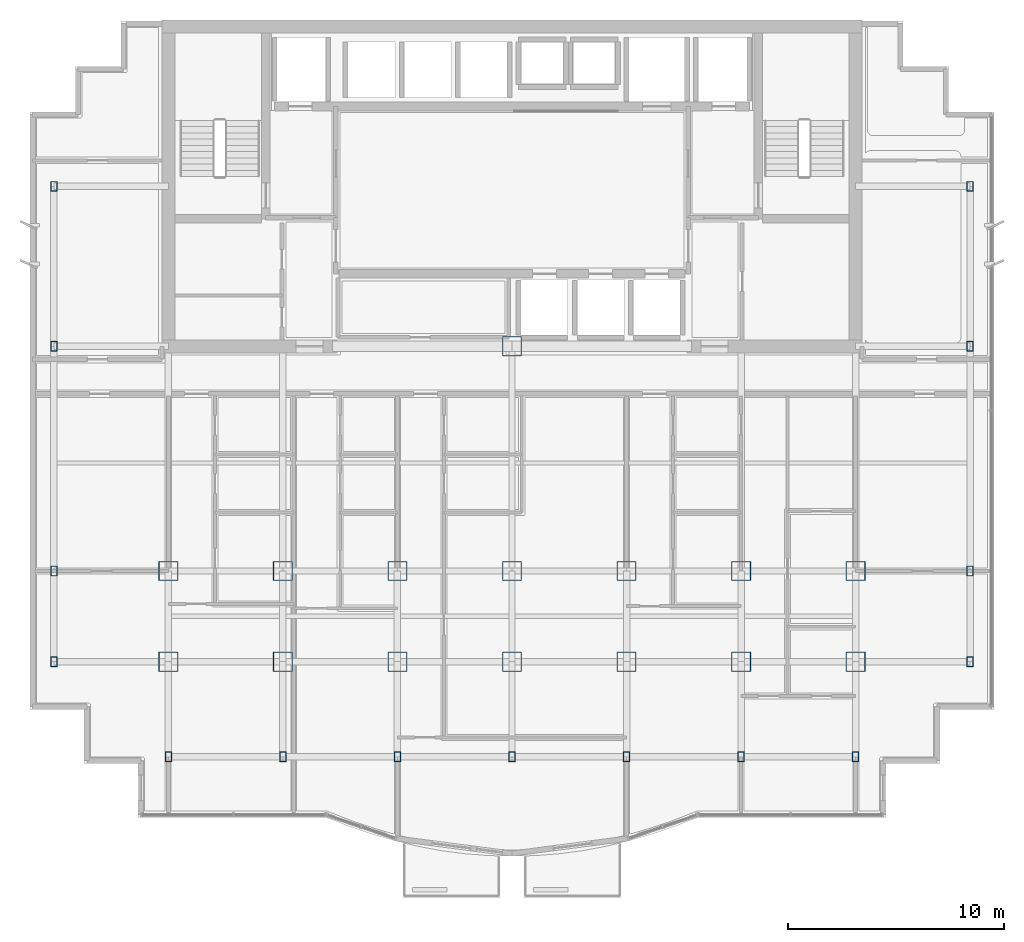
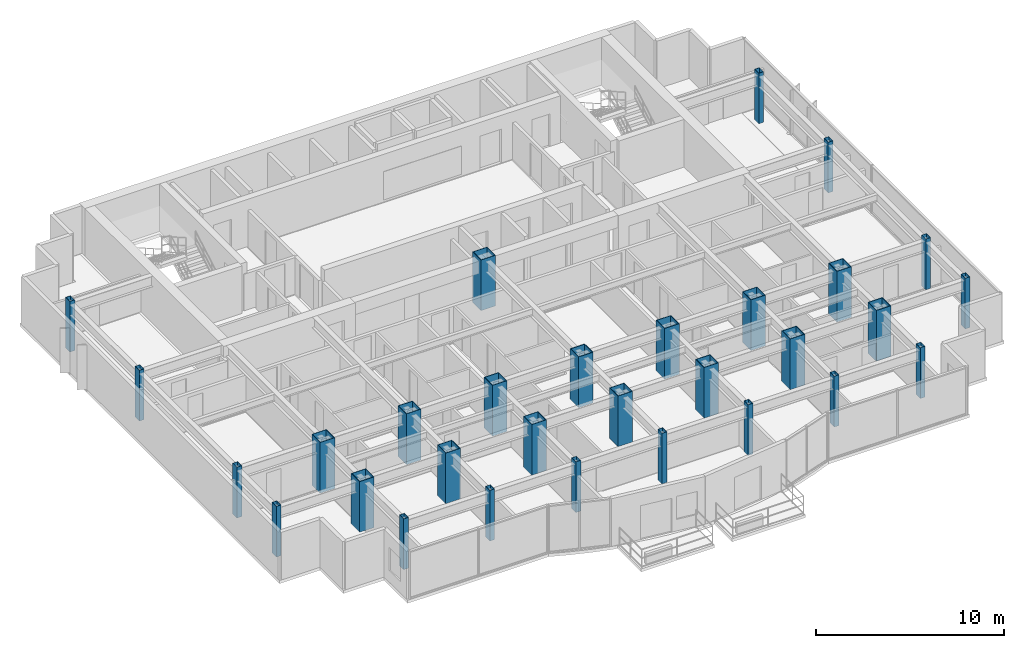
# One storey, part 1 of 13: 30 columns.
"""IFC4 building model written with IfcOpenShell, lengths in metres."""

from ifc_helpers import new_model, si_unit, direction, frame, origin, origin_2d, place, context, subcontext, project, spatial, hollow_rectangle, extrude, material, material_profile, profile_set, type_object, element, save


model = new_model("IFC4")

# Units and contexts
model_context = context("Model", 3, precision=1e-05, world=origin(), true_north=direction((0.0, 1.0)))
body_context = subcontext(model_context, "Body", "Model", "MODEL_VIEW")
ifc_project = project(units=[si_unit("LENGTHUNIT", "METRE"), si_unit("AREAUNIT", "SQUARE_METRE"), si_unit("VOLUMEUNIT", "CUBIC_METRE"), si_unit("PLANEANGLEUNIT", "RADIAN"), si_unit("MASSUNIT", "GRAM", prefix="KILO")], contexts=[model_context])

# Site, building, storey
site_placement = place(None, origin())
site = spatial("IfcSite", under=ifc_project, at=site_placement, CompositionType="ELEMENT")
building_placement = place(site_placement, origin())
building = spatial("IfcBuilding", under=site, at=building_placement, Name="Qianlan Lanfeng Residences", CompositionType="ELEMENT")
storey_placement = place(building_placement, frame((0.0, 0.0, 142.5)))
storey = spatial("IfcBuildingStorey", under=building, at=storey_placement, Name="L38", CompositionType="ELEMENT", Elevation=142.5)

# Columns
ifc_material = material(Name="Steel SN490B", Category="steel")
ifc_material_profile_1 = material_profile(ifc_material, hollow_rectangle(XDim=0.89990234375, YDim=0.89990234375, WallThickness=0.031982421875, at=origin_2d()), Name="BOX 900x900x32")
ifc_profile_set_1 = profile_set([ifc_material_profile_1], Name="Steel SN490B")
column_type_1 = type_object("IfcColumnType", Name="C-B1000", PredefinedType="COLUMN", material=ifc_profile_set_1)
for number, where, z_axis, x_axis, name in (
    (1, (26.5, 25.199951171875, 0.0), (0.0, 0.0, 1.0), (1.0, 0.0, 0.0), "L38 Structural Column CP_26.5_25.2"),
    (2, (10.60009765625, 14.800048828125, 0.0), (0.0, 0.0, 1.0), (1.0, 0.0, 0.0), "L38 Structural Column M_10.60_14.80"),
    (3, (10.60009765625, 10.60009765625, 0.0), (0.0, 0.0, 1.0), (1.0, 0.0, 0.0), "L38 Structural Column G_10.60_10.60"),
    (4, (15.89990234375, 14.800048828125, 0.0), (0.0, 0.0, 1.0), (1.0, 0.0, 0.0), "L38 Structural Column M_15.90_14.80"),
    (5, (15.89990234375, 10.60009765625, 0.0), (0.0, 0.0, 1.0), (1.0, 0.0, 0.0), "L38 Structural Column G_15.90_10.60"),
    (6, (21.199951171875, 14.800048828125, 0.0), (0.0, 0.0, 1.0), (1.0, 0.0, 0.0), "L38 Structural Column M_21.20_14.80"),
    (7, (21.199951171875, 10.60009765625, 0.0), (0.0, 0.0, 1.0), (1.0, 0.0, 0.0), "L38 Structural Column G_21.20_10.60"),
    (8, (26.5, 14.800048828125, 0.0), (0.0, 0.0, 1.0), (1.0, 0.0, 0.0), "L38 Structural Column M_26.50_14.80"),
    (9, (26.5, 10.60009765625, 0.0), (0.0, 0.0, 1.0), (1.0, 0.0, 0.0), "L38 Structural Column G_26.50_10.60"),
    (10, (31.800048828125, 14.800048828125, 0.0), (0.0, 0.0, 1.0), (1.0, 0.0, 0.0), "L38 Structural Column M_31.80_14.80"),
    (11, (31.800048828125, 10.60009765625, 0.0), (0.0, 0.0, 1.0), (1.0, 0.0, 0.0), "L38 Structural Column G_31.80_10.60"),
    (12, (37.10009765625, 14.800048828125, 0.0), (0.0, 0.0, 1.0), (1.0, 0.0, 0.0), "L38 Structural Column M_37.10_14.80"),
    (13, (37.10009765625, 10.60009765625, 0.0), (0.0, 0.0, 1.0), (1.0, 0.0, 0.0), "L38 Structural Column G_37.10_10.60"),
    (14, (42.39990234375, 14.800048828125, 0.0), (0.0, 0.0, 1.0), (1.0, 0.0, 0.0), "L38 Structural Column M_42.40_14.80"),
    (15, (42.39990234375, 10.60009765625, 0.0), (0.0, 0.0, 1.0), (1.0, 0.0, 0.0), "L38 Structural Column G_42.40_10.60"),
):
    element("IfcColumn", number, at=place(storey_placement, frame(where, z_axis=z_axis, x_axis=x_axis)), inside=storey, type_object=column_type_1, Name=name, PredefinedType="COLUMN", context=body_context, shape_type="SweptSolid", body=[
        extrude(hollow_rectangle(XDim=0.89990234375, YDim=0.89990234375, WallThickness=0.031982421875, at=origin_2d()), origin(), (0.0, 0.0, 1.0), 3.300048828125),
    ])
ifc_material_profile_2 = material_profile(ifc_material, hollow_rectangle(XDim=0.300048828125, YDim=0.449951171875, WallThickness=0.01611328125, at=origin_2d()), Name="RHS 450x300x16")
ifc_profile_set_2 = profile_set([ifc_material_profile_2], Name="Steel SN490B")
column_type_2 = type_object("IfcColumnType", Name="CE-B950", PredefinedType="COLUMN", material=ifc_profile_set_2)
for number, where, z_axis, x_axis, name in (
    (16, (10.60009765625, 6.199951171875, 0.0), (0.0, 0.0, 1.0), (1.0, 0.0, 0.0), "L38 Structural Column S_10.60_6.20"),
    (17, (15.89990234375, 6.199951171875, 0.0), (0.0, 0.0, 1.0), (1.0, 0.0, 0.0), "L38 Structural Column S_15.90_6.20"),
    (18, (21.199951171875, 6.199951171875, 0.0), (0.0, 0.0, 1.0), (1.0, 0.0, 0.0), "L38 Structural Column S_21.20_6.20"),
    (19, (26.5, 6.199951171875, 0.0), (0.0, 0.0, 1.0), (1.0, 0.0, 0.0), "L38 Structural Column S_26.50_6.20"),
    (20, (31.800048828125, 6.199951171875, 0.0), (0.0, 0.0, 1.0), (1.0, 0.0, 0.0), "L38 Structural Column S_31.80_6.20"),
    (21, (37.10009765625, 6.199951171875, 0.0), (0.0, 0.0, 1.0), (1.0, 0.0, 0.0), "L38 Structural Column S_37.10_6.20"),
    (22, (42.39990234375, 6.199951171875, 0.0), (0.0, 0.0, 1.0), (1.0, 0.0, 0.0), "L38 Structural Column S_42.40_6.20"),
    (23, (5.300048828125, 10.60009765625, 0.0), (0.0, 0.0, 1.0), (1.0, 0.0, 0.0), "L38 Structural Column W_5.30_10.60"),
    (24, (5.300048828125, 14.800048828125, 0.0), (0.0, 0.0, 1.0), (1.0, 0.0, 0.0), "L38 Structural Column W_5.30_14.80"),
    (25, (5.300048828125, 25.199951171875, 0.0), (0.0, 0.0, 1.0), (1.0, 0.0, 0.0), "L38 Structural Column W_5.30_25.20"),
    (26, (5.300048828125, 32.60009765625, 0.0), (0.0, 0.0, 1.0), (1.0, 0.0, 0.0), "L38 Structural Column W_5.30_32.60"),
    (27, (47.699951171875, 10.60009765625, 0.0), (0.0, 0.0, 1.0), (1.0, 0.0, 0.0), "L38 Structural Column W_47.70_10.60"),
    (28, (47.699951171875, 14.800048828125, 0.0), (0.0, 0.0, 1.0), (1.0, 0.0, 0.0), "L38 Structural Column W_47.70_14.80"),
    (29, (47.699951171875, 25.199951171875, 0.0), (0.0, 0.0, 1.0), (1.0, 0.0, 0.0), "L38 Structural Column W_47.70_25.20"),
    (30, (47.699951171875, 32.60009765625, 0.0), (0.0, 0.0, 1.0), (1.0, 0.0, 0.0), "L38 Structural Column W_47.70_32.60"),
):
    element("IfcColumn", number, at=place(storey_placement, frame(where, z_axis=z_axis, x_axis=x_axis)), inside=storey, type_object=column_type_2, Name=name, PredefinedType="COLUMN", context=body_context, shape_type="SweptSolid", body=[
        extrude(hollow_rectangle(XDim=0.300048828125, YDim=0.449951171875, WallThickness=0.01611328125, at=origin_2d()), origin(), (0.0, 0.0, 1.0), 3.300048828125),
    ])

save(model, "model.ifc")
